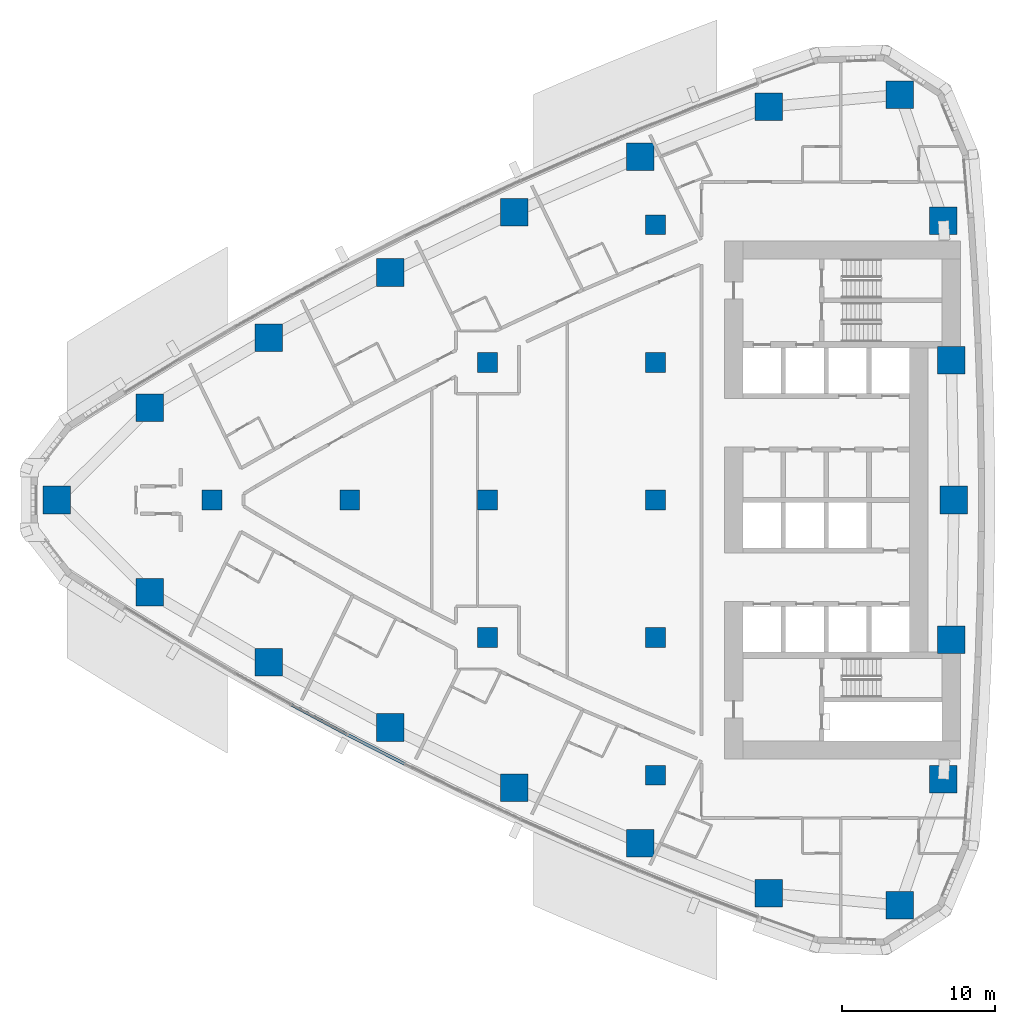
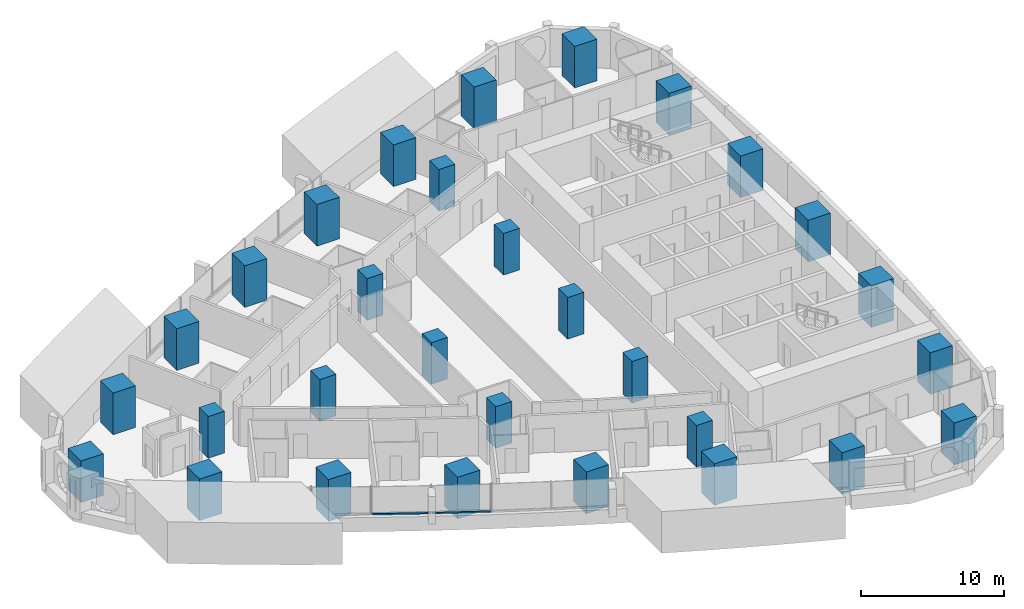
# One storey, part 1 of 19: 30 columns, 2 members, 1 element without a shape of its own.
"""IFC4 building model written with IfcOpenShell, lengths in metres."""

from ifc_helpers import new_model, si_unit, direction, frame, origin, origin_2d, place, context, subcontext, project, spatial, rectangle, extrude, material, layer, layer_set, material_profile, profile_set, type_object, element, aggregate, save


model = new_model("IFC4")

# Units and contexts
model_context = context("Model", 3, precision=1e-05, world=origin(), true_north=direction((0.0, 1.0)))
body_context = subcontext(model_context, "Body", "Model", "MODEL_VIEW")
ifc_project = project(units=[si_unit("LENGTHUNIT", "METRE"), si_unit("AREAUNIT", "SQUARE_METRE"), si_unit("VOLUMEUNIT", "CUBIC_METRE"), si_unit("PLANEANGLEUNIT", "RADIAN"), si_unit("MASSUNIT", "GRAM", prefix="KILO")], contexts=[model_context])

# Site, building, storey
site_placement = place(None, origin())
site = spatial("IfcSite", under=ifc_project, at=site_placement, CompositionType="ELEMENT")
building_placement = place(site_placement, origin())
building = spatial("IfcBuilding", under=site, at=building_placement, Name="Ostrand Prow Hotel Tower", CompositionType="ELEMENT")
storey_placement = place(building_placement, frame((0.0, 0.0, 53.800048828125)))
storey = spatial("IfcBuildingStorey", under=building, at=storey_placement, Name="L11", CompositionType="ELEMENT", Elevation=53.800048828125)

# Columns
ifc_material_1 = material(Name="Concrete C80/95", Category="concrete")
ifc_material_profile_1 = material_profile(ifc_material_1, rectangle(XDim=1.300048828125, YDim=1.300048828125, at=origin_2d()), Name="RC 1300x1300")
ifc_profile_set_1 = profile_set([ifc_material_profile_1], Name="Concrete C80/95")
column_type_1 = type_object("IfcColumnType", Name="Interior column 1300x1300 C80/95", PredefinedType="COLUMN", material=ifc_profile_set_1)
for number, where, z_axis, x_axis, name in (
    (1, (16.0, 0.0, 0.0), (0.0, 0.0, 1.0), (1.0, 0.0, 0.0), "Interior column 16C0"),
    (2, (25.0, 0.0, 0.0), (0.0, 0.0, 1.0), (1.0, 0.0, 0.0), "Interior column 25C0"),
    (3, (34.0, -9.0, 0.0), (0.0, 0.0, 1.0), (1.0, 0.0, 0.0), "Interior column 34S9"),
    (4, (34.0, 0.0, 0.0), (0.0, 0.0, 1.0), (1.0, 0.0, 0.0), "Interior column 34C0"),
    (5, (34.0, 9.0, 0.0), (0.0, 0.0, 1.0), (1.0, 0.0, 0.0), "Interior column 34N9"),
    (6, (45.0, -18.0, 0.0), (0.0, 0.0, 1.0), (1.0, 0.0, 0.0), "Interior column 45S18"),
    (7, (45.0, -9.0, 0.0), (0.0, 0.0, 1.0), (1.0, 0.0, 0.0), "Interior column 45S9"),
    (8, (45.0, 0.0, 0.0), (0.0, 0.0, 1.0), (1.0, 0.0, 0.0), "Interior column 45C0"),
    (9, (45.0, 9.0, 0.0), (0.0, 0.0, 1.0), (1.0, 0.0, 0.0), "Interior column 45N9"),
    (10, (45.0, 18.0, 0.0), (0.0, 0.0, 1.0), (1.0, 0.0, 0.0), "Interior column 45N18"),
):
    element("IfcColumn", number, at=place(storey_placement, frame(where, z_axis=z_axis, x_axis=x_axis)), inside=storey, type_object=column_type_1, Name=name, PredefinedType="COLUMN", context=body_context, shape_type="SweptSolid", body=[
        extrude(rectangle(XDim=1.300048828125, YDim=1.300048828125, at=origin_2d()), origin(), (0.0, 0.0, 1.0), 3.550048828125),
    ])
ifc_material_2 = material(Name="Concrete C80/95", Category="concrete")
ifc_material_profile_2 = material_profile(ifc_material_2, rectangle(XDim=1.800048828125, YDim=1.800048828125, at=origin_2d()), Name="RC 1800x1800")
ifc_profile_set_2 = profile_set([ifc_material_profile_2], Name="Concrete C80/95")
column_type_2 = type_object("IfcColumnType", Name="Stone-faced mega column 1800x1800 C80/95", PredefinedType="COLUMN", material=ifc_profile_set_2)
for number, where, z_axis, x_axis, name in (
    (11, (5.848388671875, 0.0, 0.0), (0.0, 0.0, 1.0), (1.0, 0.0, 0.0), "Mega column P"),
    (12, (11.926513671875, -6.0419921875, 0.0), (0.0, 0.0, 1.0), (1.0, 0.0, 0.0), "Mega column S1"),
    (13, (19.69287109375, -10.61474609375, 0.0), (0.0, 0.0, 1.0), (1.0, 0.0, 0.0), "Mega column S2"),
    (14, (27.635498046875, -14.874267578125, 0.0), (0.0, 0.0, 1.0), (1.0, 0.0, 0.0), "Mega column S3"),
    (15, (35.7412109375, -18.814208984375, 0.0), (0.0, 0.0, 1.0), (1.0, 0.0, 0.0), "Mega column S4"),
    (16, (43.997802734375, -22.427978515625, 0.0), (0.0, 0.0, 1.0), (1.0, 0.0, 0.0), "Mega column S5"),
    (17, (52.3916015625, -25.710205078125, 0.0), (0.0, 0.0, 1.0), (1.0, 0.0, 0.0), "Mega column S6"),
    (18, (60.966064453125, -26.49853515625, 0.0), (0.0, 0.0, 1.0), (1.0, 0.0, 0.0), "Mega column SE"),
    (19, (63.8134765625, -18.248779296875, 0.0), (0.0, 0.0, 1.0), (1.0, 0.0, 0.0), "Mega column B1"),
    (20, (64.328369140625, -9.130859375, 0.0), (0.0, 0.0, 1.0), (1.0, 0.0, 0.0), "Mega column B2"),
    (21, (64.5, 0.0, 0.0), (0.0, 0.0, 1.0), (1.0, 0.0, 0.0), "Mega column B3"),
    (22, (64.328369140625, 9.130859375, 0.0), (0.0, 0.0, 1.0), (1.0, 0.0, 0.0), "Mega column B4"),
    (23, (63.8134765625, 18.248779296875, 0.0), (0.0, 0.0, 1.0), (1.0, 0.0, 0.0), "Mega column B5"),
    (24, (60.966064453125, 26.49853515625, 0.0), (0.0, 0.0, 1.0), (1.0, 0.0, 0.0), "Mega column NE"),
    (25, (52.3916015625, 25.710205078125, 0.0), (0.0, 0.0, 1.0), (1.0, 0.0, 0.0), "Mega column N1"),
    (26, (43.997802734375, 22.427978515625, 0.0), (0.0, 0.0, 1.0), (1.0, 0.0, 0.0), "Mega column N2"),
    (27, (35.7412109375, 18.814208984375, 0.0), (0.0, 0.0, 1.0), (1.0, 0.0, 0.0), "Mega column N3"),
    (28, (27.635498046875, 14.874267578125, 0.0), (0.0, 0.0, 1.0), (1.0, 0.0, 0.0), "Mega column N4"),
    (29, (19.69287109375, 10.61474609375, 0.0), (0.0, 0.0, 1.0), (1.0, 0.0, 0.0), "Mega column N5"),
    (30, (11.926513671875, 6.0419921875, 0.0), (0.0, 0.0, 1.0), (1.0, 0.0, 0.0), "Mega column N6"),
):
    element("IfcColumn", number, at=place(storey_placement, frame(where, z_axis=z_axis, x_axis=x_axis)), inside=storey, type_object=column_type_2, Name=name, PredefinedType="COLUMN", context=body_context, shape_type="SweptSolid", body=[
        extrude(rectangle(XDim=1.800048828125, YDim=1.800048828125, at=origin_2d()), origin(), (0.0, 0.0, 1.0), 3.550048828125),
    ])

# Curtain wall, members
ifc_material_3 = material(Name="Insulated glass in bronze anodised frame", Category="glass")
ifc_layer = layer(ifc_material_3, 0.199951171875)
ifc_layer_set = layer_set([ifc_layer], Name="Insulated glass in bronze anodised frame")
curtain_wall_type = type_object("IfcCurtainWallType", Name="Strip curtain wall, fritted glass over bronze spandrel", PredefinedType="NOTDEFINED", material=ifc_layer_set)
curtain_wall_placement = place(storey_placement, origin())
curtain_wall = element("IfcCurtainWall", 31, at=curtain_wall_placement, inside=storey, type_object=curtain_wall_type, Name="CW1 run CWS2", PredefinedType="NOTDEFINED")
ifc_material_4 = material(Name="Bronze anodised aluminium", Category="aluminium")
ifc_material_profile_3 = material_profile(ifc_material_4, rectangle(XDim=0.199951171875, YDim=0.1201171875, at=origin_2d()), Name="Transom 120x200 bronze anodised aluminium")
ifc_profile_set_3 = profile_set([ifc_material_profile_3], Name="Bronze anodised aluminium")
member_type = type_object("IfcMemberType", Name="Transom 120x200 bronze anodised aluminium", PredefinedType="USERDEFINED", material=ifc_profile_set_3)
member_1_placement = place(storey_placement, frame((21.187255859375, -13.386962890625, 0.9599609375), z_axis=(0.881657241639, -0.471890356191, 0.0), x_axis=(0.471890356191, 0.881657241639, 0.0)))
member_1 = element("IfcMember", 32, at=member_1_placement, type_object=member_type, Name="CW1 transom 2.1", ObjectType="TRANSOM", PredefinedType="USERDEFINED", context=body_context, shape_type="SweptSolid", body=[
    extrude(rectangle(XDim=0.199951171875, YDim=0.1201171875, at=origin_2d()), origin(), (0.0, 0.0, 1.0), 4.13427734375),
])
member_2_placement = place(storey_placement, frame((24.885498046875, -15.36572265625, 0.9599609375), z_axis=(0.890182999343, -0.455603147136, 0.0), x_axis=(0.455603147136, 0.890182999343, 0.0)))
member_2 = element("IfcMember", 33, at=member_2_placement, type_object=member_type, Name="CW1 transom 3.1", ObjectType="TRANSOM", PredefinedType="USERDEFINED", context=body_context, shape_type="SweptSolid", body=[
    extrude(rectangle(XDim=0.199951171875, YDim=0.1201171875, at=origin_2d()), origin(), (0.0, 0.0, 1.0), 4.13427734375),
])
aggregate(curtain_wall, [member_1, member_2])

save(model, "model.ifc")
